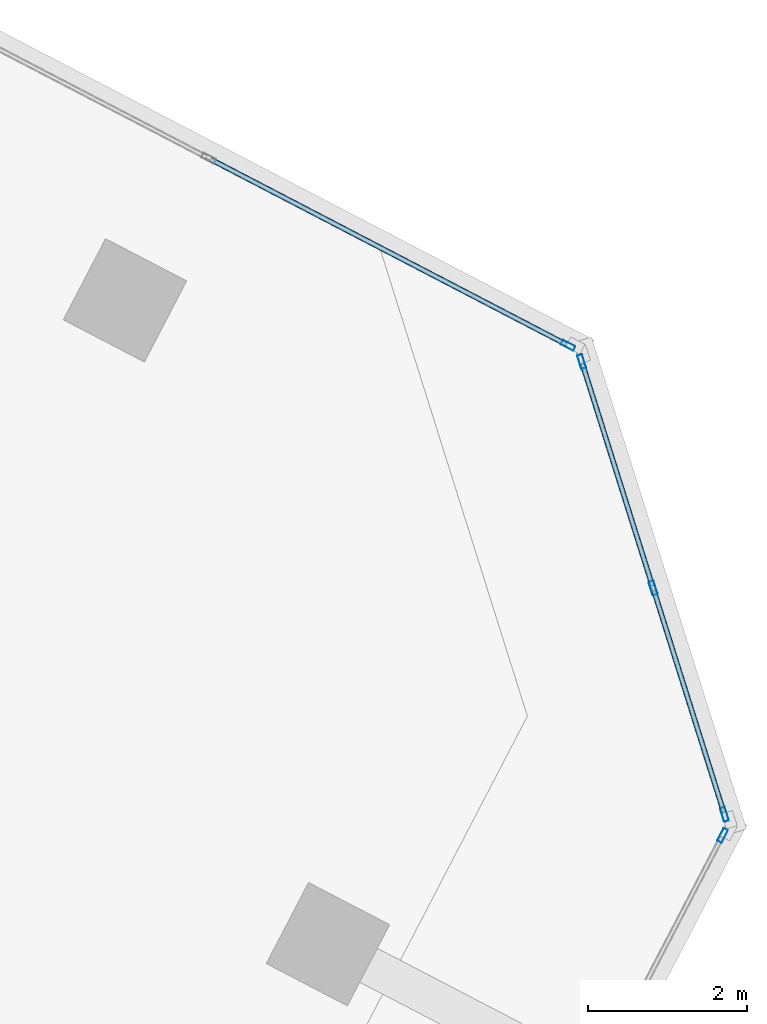
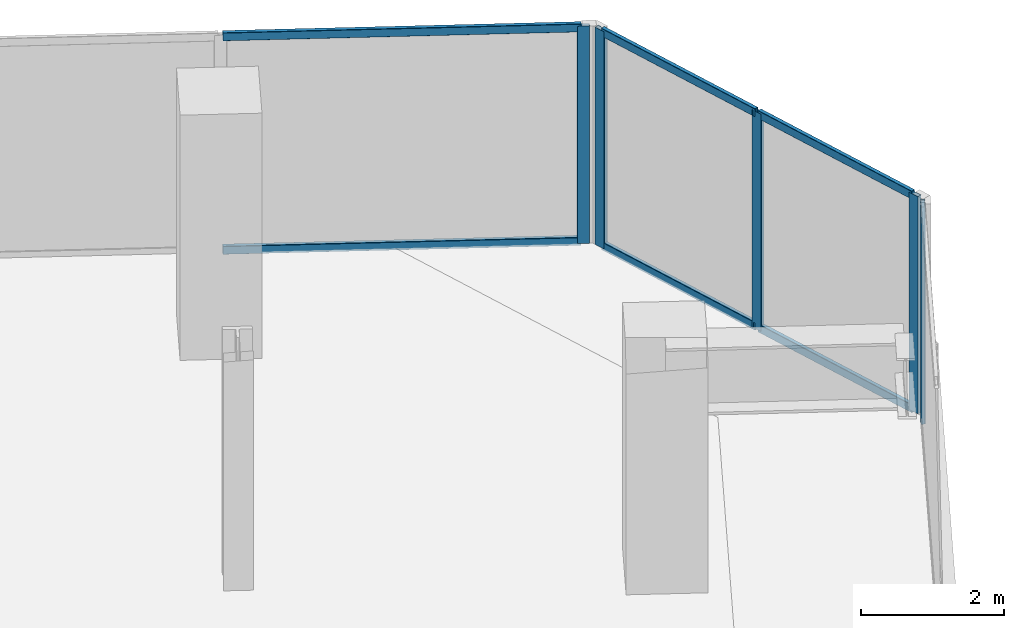
# One storey, part 11 of 22: 11 members, 3 elements without a shape of their own.
"""IFC4 building model written with IfcOpenShell, lengths in metres."""

from ifc_helpers import new_model, si_unit, direction, frame, origin, origin_2d, place, context, subcontext, project, spatial, hollow_rectangle, extrude, source, transform, mapped, material, material_profile, profile_set, type_object, element, aggregate, save


model = new_model("IFC4")

# Units and contexts
model_context = context("Model", 3, precision=1e-05, world=origin(), true_north=direction((0.0, 1.0)))
body_context = subcontext(model_context, "Body", "Model", "MODEL_VIEW")
ifc_project = project(units=[si_unit("LENGTHUNIT", "METRE"), si_unit("AREAUNIT", "SQUARE_METRE"), si_unit("VOLUMEUNIT", "CUBIC_METRE"), si_unit("PLANEANGLEUNIT", "RADIAN"), si_unit("MASSUNIT", "GRAM", prefix="KILO")], contexts=[model_context])

# Site, building, storey
site_placement = place(None, origin())
site = spatial("IfcSite", under=ifc_project, at=site_placement, CompositionType="ELEMENT")
building_placement = place(site_placement, origin())
building = spatial("IfcBuilding", under=site, at=building_placement, Name="Torre Montelarca", CompositionType="ELEMENT")
storey_placement = place(building_placement, frame((0.0, 0.0, 166.60009765625)))
storey = spatial("IfcBuildingStorey", under=building, at=storey_placement, Name="L37", CompositionType="ELEMENT", Elevation=166.60009765625)

# Curtain wall, members
ifc_material_1 = material(Name="Insulated low-E laminated glass", Category="glass")
curtain_wall_type = type_object("IfcCurtainWallType", Name="CW-SYS-Z2", PredefinedType="USERDEFINED", material=ifc_material_1)
curtain_wall_1_placement = place(storey_placement, origin())
curtain_wall_1 = element("IfcCurtainWall", 1, at=curtain_wall_1_placement, inside=storey, type_object=curtain_wall_type, Name="L37 Curtain Wall Run CW-T3-L37-E07-B1", ObjectType="UNITISED GLAZING", PredefinedType="USERDEFINED")
ifc_material_2 = material(Name="Anodised aluminium AA 6063-T6", Category="aluminium")
ifc_material_profile_1 = material_profile(ifc_material_2, hollow_rectangle(XDim=0.06494140625, YDim=0.139892578125, WallThickness=0.00390625, InnerFilletRadius=0.00390625, OuterFilletRadius=0.008056640625, at=origin_2d()), Name="ALU65X140X4", Category="aluminium")
ifc_profile_set_1 = profile_set([ifc_material_profile_1], Name="Anodised aluminium AA 6063-T6")
member_type_1 = type_object("IfcMemberType", Name="CWT-ALU140", PredefinedType="USERDEFINED", material=ifc_profile_set_1)
shared_shape_1 = source(origin(), body_context, "Body", "SweptSolid", [
    extrude(hollow_rectangle(XDim=0.06494140625, YDim=0.139892578125, WallThickness=0.00390625, InnerFilletRadius=0.00390625, OuterFilletRadius=0.008056640625, at=origin_2d()), origin(), (0.0, 0.0, 1.0), 2.918701171875),
])
member_1_placement = place(storey_placement, frame((53.674072265625, 28.52197265625, 0.032470703125), z_axis=(-0.30062691611, 0.953741819, 0.0), x_axis=(-0.953741819, -0.30062691611, 0.0)))
member_1 = element("IfcMember", 2, at=member_1_placement, type_object=member_type_1, Name="CW transom 1.1", ObjectType="TRANSOM", PredefinedType="USERDEFINED", context=body_context, shape_type="MappedRepresentation", body=[
    mapped(shared_shape_1, transform((0.0, 0.0, 0.0), scale=1.0)),
])
member_2_placement = place(storey_placement, frame((53.674072265625, 28.52197265625, 3.6875), z_axis=(-0.30062691611, 0.953741819, 0.0), x_axis=(-0.953741819, -0.30062691611, 0.0)))
member_2 = element("IfcMember", 3, at=member_2_placement, type_object=member_type_1, Name="CW transom 1.2", ObjectType="TRANSOM", PredefinedType="USERDEFINED", context=body_context, shape_type="MappedRepresentation", body=[
    mapped(shared_shape_1, transform((0.0, 0.0, 0.0), scale=1.0)),
])
member_3_placement = place(storey_placement, frame((52.77685546875, 31.367431640625, 0.032470703125), z_axis=(-0.30062691611, 0.953741819, 0.0), x_axis=(-0.953741819, -0.30062691611, 0.0)))
member_3 = element("IfcMember", 4, at=member_3_placement, type_object=member_type_1, Name="CW transom 2.1", ObjectType="TRANSOM", PredefinedType="USERDEFINED", context=body_context, shape_type="MappedRepresentation", body=[
    mapped(shared_shape_1, transform((0.0, 0.0, 0.0), scale=1.0)),
])
member_4_placement = place(storey_placement, frame((52.77685546875, 31.367431640625, 3.6875), z_axis=(-0.30062691611, 0.953741819, 0.0), x_axis=(-0.953741819, -0.30062691611, 0.0)))
member_4 = element("IfcMember", 5, at=member_4_placement, type_object=member_type_1, Name="CW transom 2.2", ObjectType="TRANSOM", PredefinedType="USERDEFINED", context=body_context, shape_type="MappedRepresentation", body=[
    mapped(shared_shape_1, transform((0.0, 0.0, 0.0), scale=1.0)),
])

# Curtain wall, member
curtain_wall_2_placement = place(storey_placement, origin())
curtain_wall_2 = element("IfcCurtainWall", 6, at=curtain_wall_2_placement, inside=storey, type_object=curtain_wall_type, Name="L37 Curtain Wall Run CW-T3-L37-E06-B1", ObjectType="UNITISED GLAZING", PredefinedType="USERDEFINED")
ifc_material_profile_2 = material_profile(ifc_material_2, hollow_rectangle(XDim=0.06494140625, YDim=0.179931640625, WallThickness=0.00390625, InnerFilletRadius=0.00390625, OuterFilletRadius=0.008056640625, at=origin_2d()), Name="ALU65X180X4", Category="aluminium")
ifc_profile_set_2 = profile_set([ifc_material_profile_2], Name="Anodised aluminium AA 6063-T6")
member_type_2 = type_object("IfcMemberType", Name="CWM-ALU180", PredefinedType="MULLION", material=ifc_profile_set_2)
shared_shape_2 = source(origin(), body_context, "Body", "SweptSolid", [
    extrude(hollow_rectangle(XDim=0.06494140625, YDim=0.179931640625, WallThickness=0.00390625, InnerFilletRadius=0.00390625, OuterFilletRadius=0.008056640625, at=origin_2d()), origin(), (0.0, 0.0, 1.0), 3.719970703125),
])
member_5_placement = place(storey_placement, frame((53.66064453125, 28.22509765625, 0.0), z_axis=(0.0, 0.0, 1.0), x_axis=(-0.887014000849, 0.461742528145, 0.0)))
member_5 = element("IfcMember", 7, at=member_5_placement, type_object=member_type_2, Name="CW mullion 3", PredefinedType="MULLION", context=body_context, shape_type="MappedRepresentation", body=[
    mapped(shared_shape_2, transform((0.0, 0.0, 0.0), scale=1.0)),
])
aggregate(curtain_wall_2, [member_5])

# Member
member_6_placement = place(storey_placement, frame((53.683837890625, 28.490966796875, 0.0), z_axis=(0.0, 0.0, 1.0), x_axis=(-0.953719112102, -0.30069894448, 0.0)))
member_6 = element("IfcMember", 8, at=member_6_placement, type_object=member_type_2, Name="CW mullion 1", PredefinedType="MULLION", context=body_context, shape_type="MappedRepresentation", body=[
    mapped(shared_shape_2, transform((0.0, 0.0, 0.0), scale=1.0)),
])

member_7_placement = place(storey_placement, frame((52.786865234375, 31.336669921875, 0.0), z_axis=(0.0, 0.0, 1.0), x_axis=(-0.953719112102, -0.30069894448, 0.0)))
member_7 = element("IfcMember", 9, at=member_7_placement, type_object=member_type_2, Name="CW mullion 2", PredefinedType="MULLION", context=body_context, shape_type="MappedRepresentation", body=[
    mapped(shared_shape_2, transform((0.0, 0.0, 0.0), scale=1.0)),
])

member_8_placement = place(storey_placement, frame((51.8896484375, 34.18212890625, 0.0), z_axis=(0.0, 0.0, 1.0), x_axis=(-0.953719112102, -0.30069894448, 0.0)))
member_8 = element("IfcMember", 10, at=member_8_placement, type_object=member_type_2, Name="CW mullion 3", PredefinedType="MULLION", context=body_context, shape_type="MappedRepresentation", body=[
    mapped(shared_shape_2, transform((0.0, 0.0, 0.0), scale=1.0)),
])

aggregate(curtain_wall_1, [member_6, member_7, member_8, member_1, member_2, member_3, member_4])

# Curtain wall, members
curtain_wall_3_placement = place(storey_placement, origin())
curtain_wall_3 = element("IfcCurtainWall", 11, at=curtain_wall_3_placement, inside=storey, type_object=curtain_wall_type, Name="L37 Curtain Wall Run CW-T3-L37-E08-B1", ObjectType="UNITISED GLAZING", PredefinedType="USERDEFINED")
member_9_placement = place(storey_placement, frame((51.718017578125, 34.38671875, 0.0), z_axis=(0.0, 0.0, 1.0), x_axis=(-0.461743267935, -0.887013615745, 0.0)))
member_9 = element("IfcMember", 12, at=member_9_placement, type_object=member_type_2, Name="CW mullion 1", PredefinedType="MULLION", context=body_context, shape_type="MappedRepresentation", body=[
    mapped(shared_shape_2, transform((0.0, 0.0, 0.0), scale=1.0)),
])
shared_shape_3 = source(origin(), body_context, "Body", "SweptSolid", [
    extrude(hollow_rectangle(XDim=0.06494140625, YDim=0.139892578125, WallThickness=0.00390625, InnerFilletRadius=0.00390625, OuterFilletRadius=0.008056640625, at=origin_2d()), origin(), (0.0, 0.0, 1.0), 5.029541015625),
])
member_10_placement = place(storey_placement, frame((51.689208984375, 34.401611328125, 0.032470703125), z_axis=(-0.887027577991, 0.461716445324, 0.0), x_axis=(-0.461716445324, -0.887027577991, 0.0)))
member_10 = element("IfcMember", 13, at=member_10_placement, type_object=member_type_1, Name="CW transom 1.1", ObjectType="TRANSOM", PredefinedType="USERDEFINED", context=body_context, shape_type="MappedRepresentation", body=[
    mapped(shared_shape_3, transform((0.0, 0.0, 0.0), scale=1.0)),
])
member_11_placement = place(storey_placement, frame((51.689208984375, 34.401611328125, 3.6875), z_axis=(-0.887027577991, 0.461716445324, 0.0), x_axis=(-0.461716445324, -0.887027577991, 0.0)))
member_11 = element("IfcMember", 14, at=member_11_placement, type_object=member_type_1, Name="CW transom 1.2", ObjectType="TRANSOM", PredefinedType="USERDEFINED", context=body_context, shape_type="MappedRepresentation", body=[
    mapped(shared_shape_3, transform((0.0, 0.0, 0.0), scale=1.0)),
])
aggregate(curtain_wall_3, [member_9, member_10, member_11])

save(model, "model.ifc")
